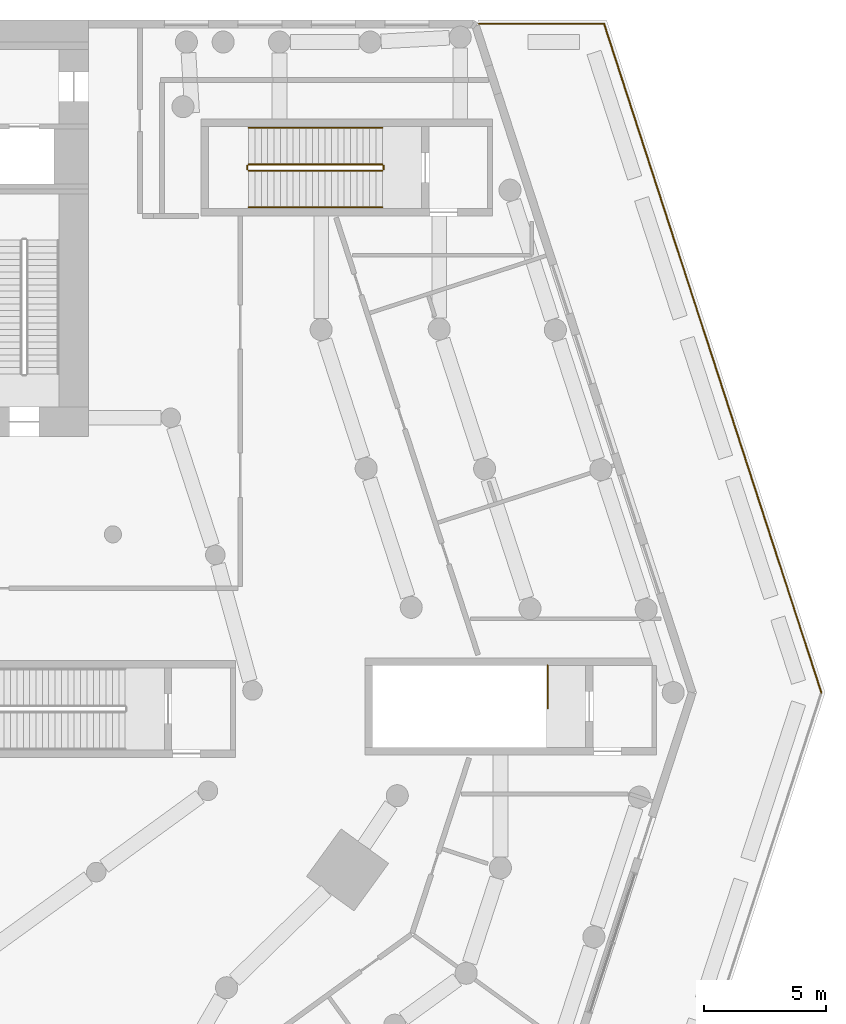
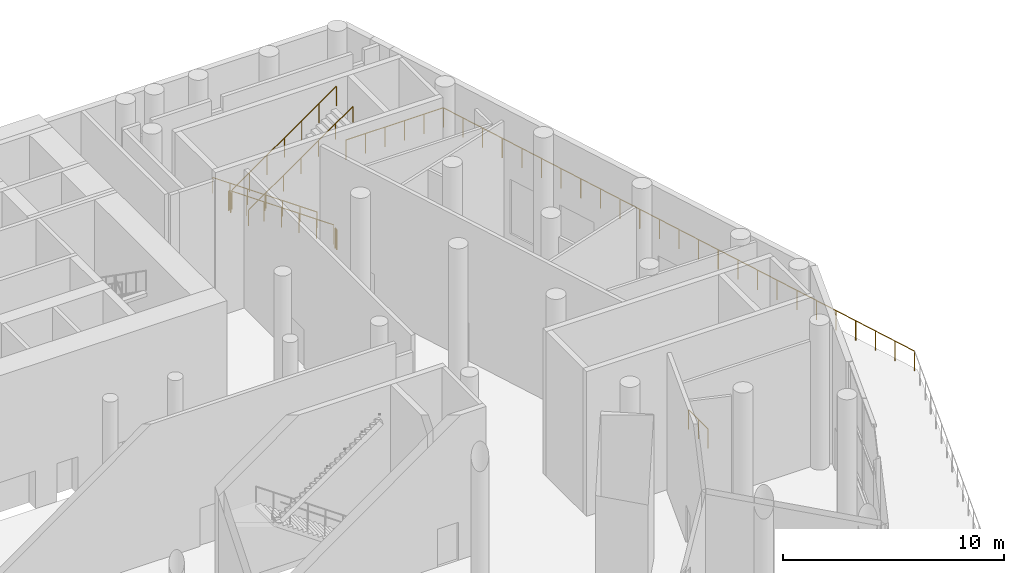
# One storey, part 23 of 23: 8 railings.
"""IFC4 building model written with IfcOpenShell, lengths in metres."""

import ifcopenshell
import ifcopenshell.guid

model = None  # the IFC model being written
_history = None  # IfcOwnerHistory: only IFC2X3 demands one
_inside = {}  # id of a spatial element -> (the spatial element, [elements in it])
_under = {}  # id of a project, library or spatial element -> (it, [spatial elements below it])
_declared = {}  # id of a project -> (the project, [libraries it declares])
_typed = {}  # id of a type object -> (the type object, [elements of that type])
_made_of = {}  # id of a material, layer set ... -> (it, [elements and type objects made of it])


def new_model(schema):
    """Start an empty IFC model of exactly this schema.

    Asked for "IFC4X3", IfcOpenShell would pick the latest addendum, in which some entities
    have other attributes; the version numbers below select the first issue.
    IFC2X3 requires an IfcOwnerHistory on every rooted entity: one is made here for all.
    """
    global model, _history
    if schema == "IFC4X3":
        model = ifcopenshell.file(schema_version=(4, 3, 0, 0))
    else:
        model = ifcopenshell.file(schema=schema)
    _inside.clear()
    _under.clear()
    _declared.clear()
    _typed.clear()
    _made_of.clear()
    _history = None
    if model.schema == "IFC2X3":
        org = make("IfcOrganization", Name="unknown")
        user = make(
            "IfcPersonAndOrganization",
            ThePerson=make("IfcPerson", FamilyName="unknown"),
            TheOrganization=org,
        )
        app = make(
            "IfcApplication",
            ApplicationDeveloper=org,
            Version="unknown",
            ApplicationFullName="unknown",
            ApplicationIdentifier="unknown",
        )
        _history = make(
            "IfcOwnerHistory",
            OwningUser=user,
            OwningApplication=app,
            ChangeAction="ADDED",
            CreationDate=0,
        )
    return model


def make(cls, **values):
    """One entity of the class cls with the attributes given. An attribute that is None is left unset."""
    return model.create_entity(
        cls, **{name: value for name, value in values.items() if value is not None}
    )


def rooted(cls, **values):
    """An entity with a GlobalId (a new one), such as an element, a storey or a relation."""
    return make(cls, GlobalId=ifcopenshell.guid.new(), OwnerHistory=_history, **values)


def si_unit(unit_type, name, prefix=None):
    """IfcSIUnit, for example si_unit("LENGTHUNIT", "METRE", prefix="MILLI")."""
    return make("IfcSIUnit", UnitType=unit_type, Prefix=prefix, Name=name)


def assignment(units):
    """IfcUnitAssignment: the units of a project."""
    return None if units is None else make("IfcUnitAssignment", Units=units)


def point(xyz):
    """IfcCartesianPoint."""
    return None if xyz is None else make("IfcCartesianPoint", Coordinates=xyz)


def direction(xyz):
    """IfcDirection."""
    return None if xyz is None else make("IfcDirection", DirectionRatios=xyz)


def frame(location, z_axis=None, x_axis=None):
    """IfcAxis2Placement3D, a coordinate frame: its origin and axes. An axis left out is left unset."""
    return make(
        "IfcAxis2Placement3D",
        Location=point(location),
        Axis=direction(z_axis),
        RefDirection=direction(x_axis),
    )


def frame_2d(location, x_axis=None):
    """IfcAxis2Placement2D, a coordinate frame in the plane: its origin and x axis."""
    return make(
        "IfcAxis2Placement2D", Location=point(location), RefDirection=direction(x_axis)
    )


def origin():
    """The frame at (0, 0, 0) with its axes left unset."""
    return frame((0.0, 0.0, 0.0))


def origin_2d():
    """The frame at (0, 0) in the plane with its x axis left unset."""
    return frame_2d((0.0, 0.0))


def place(relative_to, where):
    """IfcLocalPlacement: puts the frame where relative to a parent placement (None: the world)."""
    return make(
        "IfcLocalPlacement", PlacementRelTo=relative_to, RelativePlacement=where
    )


def context(
    kind, dimensions, precision=None, world=None, true_north=None, identifier=None
):
    """IfcGeometricRepresentationContext, for example the 3D "Model" context."""
    return make(
        "IfcGeometricRepresentationContext",
        ContextIdentifier=identifier,
        ContextType=kind,
        CoordinateSpaceDimension=dimensions,
        Precision=precision,
        WorldCoordinateSystem=world,
        TrueNorth=true_north,
    )


def subcontext(parent, identifier, kind, view, scale=None):
    """IfcGeometricRepresentationSubContext, for example "Body" below "Model"."""
    return make(
        "IfcGeometricRepresentationSubContext",
        ContextIdentifier=identifier,
        ContextType=kind,
        ParentContext=parent,
        TargetScale=scale,
        TargetView=view,
    )


def project(units=None, contexts=None):
    """IfcProject with its units and contexts."""
    return rooted(
        "IfcProject",
        Name="project",
        RepresentationContexts=contexts,
        UnitsInContext=assignment(units),
    )


def spatial(cls, under=None, at=None, **own):
    """A site, building, storey or space (cls), placed at a placement, below another one or the project."""
    s = rooted(cls, ObjectPlacement=at, **own)
    if under is not None:
        _under.setdefault(under.id(), (under, []))[1].append(s)
    return s


def profile(cls, at=None, kind="AREA", **sizes):
    """A parametric profile (cls). Its sizes go by their IFC names, for example OverallWidth=200.0."""
    return make(cls, ProfileType=kind, Position=at, **sizes)


def circle(**sizes):
    """IfcCircleProfileDef."""
    return profile("IfcCircleProfileDef", **sizes)


def extrude(swept, where, along, depth):
    """IfcExtrudedAreaSolid: the profile swept, set in the frame where, extruded along a direction by depth."""
    return make(
        "IfcExtrudedAreaSolid",
        SweptArea=swept,
        Position=where,
        ExtrudedDirection=direction(along),
        Depth=depth,
    )


def shape(context_of_items, identifier, shape_type, items):
    """IfcShapeRepresentation: the items that make up one representation, for example the "Body"."""
    return make(
        "IfcShapeRepresentation",
        ContextOfItems=context_of_items,
        RepresentationIdentifier=identifier,
        RepresentationType=shape_type,
        Items=items,
    )


def material(Name=None, Category=None):
    """IfcMaterial."""
    return make("IfcMaterial", Name=Name, Category=Category)


def made_of(thing, what):
    """Note that an element or type object is made of a material, layer set ...; save() writes the relation."""
    if what is not None:
        _made_of.setdefault(what.id(), (what, []))[1].append(thing)
    return thing


def type_object(cls, material=None, **own):
    """A type object (cls), such as IfcWallType, which elements share."""
    return made_of(rooted(cls, **own), material)


def element(
    cls,
    number,
    at=None,
    inside=None,
    cuts=None,
    type_object=None,
    material=None,
    context=None,
    identifier="Body",
    shape_type=None,
    held_by="IfcProductDefinitionShape",
    body=None,
    shapes=None,
    **own,
):
    """One element of the class cls, such as IfcWall. Its Tag is "e" and its number.

    at: its placement. inside: the storey or other place that contains it. cuts: it is an
    opening in that element (IfcRelVoidsElement). A single representation is given by context,
    identifier, shape_type and body (its items); several are given by shapes. held_by: the class
    of the entity that holds the representations. save() writes the other relations.
    """
    e = rooted(cls, Tag="e%d" % number, ObjectPlacement=at, **own)
    if body is not None:
        shapes = [shape(context, identifier, shape_type, body)]
    if shapes is not None:
        e.Representation = make(held_by, Representations=shapes)
    if inside is not None:
        _inside.setdefault(inside.id(), (inside, []))[1].append(e)
    if cuts is not None:
        rooted(
            "IfcRelVoidsElement", RelatingBuildingElement=cuts, RelatedOpeningElement=e
        )
    if type_object is not None:
        _typed.setdefault(type_object.id(), (type_object, []))[1].append(e)
    return made_of(e, material)


def aggregate(whole, parts):
    """IfcRelAggregates: a whole, such as a stair, and the parts it consists of."""
    return rooted("IfcRelAggregates", RelatingObject=whole, RelatedObjects=parts)


def save(model, path):
    """Write the relations noted so far, then the file.

    IfcRelAggregates (storeys below a building ...), IfcRelContainedInSpatialStructure (elements
    in a storey), IfcRelDefinesByType, IfcRelAssociatesMaterial and IfcRelDeclares: one each for
    every whole, place, type object, material and project.
    """
    for whole, parts in _under.values():
        aggregate(whole, parts)
    for where, things in _inside.values():
        rooted(
            "IfcRelContainedInSpatialStructure",
            RelatedElements=things,
            RelatingStructure=where,
        )
    for kind, things in _typed.values():
        rooted("IfcRelDefinesByType", RelatedObjects=things, RelatingType=kind)
    for what, things in _made_of.values():
        rooted("IfcRelAssociatesMaterial", RelatedObjects=things, RelatingMaterial=what)
    for by, libraries in _declared.values():
        rooted("IfcRelDeclares", RelatingContext=by, RelatedDefinitions=libraries)
    model.write(path)


model = new_model("IFC4")

# Units and contexts
model_context = context("Model", 3, precision=1e-05, world=origin(), true_north=direction((0.0, 1.0)))
body_context = subcontext(model_context, "Body", "Model", "MODEL_VIEW")
ifc_project = project(units=[si_unit("LENGTHUNIT", "METRE"), si_unit("AREAUNIT", "SQUARE_METRE"), si_unit("VOLUMEUNIT", "CUBIC_METRE"), si_unit("PLANEANGLEUNIT", "RADIAN"), si_unit("MASSUNIT", "GRAM", prefix="KILO")], contexts=[model_context])

# Site, building, storey
site_placement = place(None, origin())
site = spatial("IfcSite", under=ifc_project, at=site_placement, CompositionType="ELEMENT")
building_placement = place(site_placement, origin())
building = spatial("IfcBuilding", under=site, at=building_placement, Name="White Candle Pilgrim Tower", CompositionType="ELEMENT")
storey_placement = place(building_placement, frame((0.0, 0.0, 15.0)))
storey = spatial("IfcBuildingStorey", under=building, at=storey_placement, Name="L02", CompositionType="ELEMENT", Elevation=15.0)

# Railings
ifc_material_1 = material(Name="Steel S355 painted", Category="steel")
railing_type_1 = type_object("IfcRailingType", Name="Guard GD1 1100", PredefinedType="GUARDRAIL", material=ifc_material_1)
railing_1_placement = place(storey_placement, frame((96.948974609375, 87.85009765625, 0.0)))
element("IfcRailing", 1, at=railing_1_placement, inside=storey, type_object=railing_type_1, Name="Terrace guard L02", PredefinedType="GUARDRAIL", context=body_context, shape_type="SweptSolid", body=[
    extrude(circle(Radius=0.02490234375, at=origin_2d()), frame((0.0, 0.0, 1.0751953125), z_axis=(1.0, 0.0, 0.0), x_axis=(0.0, 1.0, 0.0)), (0.0, 0.0, 1.0), 5.099609375),
    extrude(circle(Radius=0.02490234375, at=origin_2d()), frame((5.099609375, 0.0, 1.0751953125), z_axis=(0.309015903789, -0.951056870647, 0.0), x_axis=(0.951056870647, 0.309015903789, 0.0)), (0.0, 0.0, 1.0), 28.71630859375),
    extrude(circle(Radius=0.02490234375, at=origin_2d()), origin(), (0.0, 0.0, 1.0), 1.050048828125),
    extrude(circle(Radius=0.02490234375, at=origin_2d()), frame((1.02001953125, 0.0, 0.0)), (0.0, 0.0, 1.0), 1.050048828125),
    extrude(circle(Radius=0.02490234375, at=origin_2d()), frame((2.039794921875, 0.0, 0.0)), (0.0, 0.0, 1.0), 1.050048828125),
    extrude(circle(Radius=0.02490234375, at=origin_2d()), frame((3.059814453125, 0.0, 0.0)), (0.0, 0.0, 1.0), 1.050048828125),
    extrude(circle(Radius=0.02490234375, at=origin_2d()), frame((4.07958984375, 0.0, 0.0)), (0.0, 0.0, 1.0), 1.050048828125),
    extrude(circle(Radius=0.02490234375, at=origin_2d()), frame((5.099609375, 0.0, 0.0)), (0.0, 0.0, 1.0), 1.050048828125),
    extrude(circle(Radius=0.02490234375, at=origin_2d()), frame((5.46923828125, -1.137939453125, 0.0)), (0.0, 0.0, 1.0), 1.050048828125),
    extrude(circle(Radius=0.02490234375, at=origin_2d()), frame((5.839111328125, -2.27587890625, 0.0)), (0.0, 0.0, 1.0), 1.050048828125),
    extrude(circle(Radius=0.02490234375, at=origin_2d()), frame((6.208740234375, -3.413818359375, 0.0)), (0.0, 0.0, 1.0), 1.050048828125),
    extrude(circle(Radius=0.02490234375, at=origin_2d()), frame((6.57861328125, -4.5517578125, 0.0)), (0.0, 0.0, 1.0), 1.050048828125),
    extrude(circle(Radius=0.02490234375, at=origin_2d()), frame((6.9482421875, -5.689697265625, 0.0)), (0.0, 0.0, 1.0), 1.050048828125),
    extrude(circle(Radius=0.02490234375, at=origin_2d()), frame((7.318115234375, -6.82763671875, 0.0)), (0.0, 0.0, 1.0), 1.050048828125),
    extrude(circle(Radius=0.02490234375, at=origin_2d()), frame((7.687744140625, -7.965576171875, 0.0)), (0.0, 0.0, 1.0), 1.050048828125),
    extrude(circle(Radius=0.02490234375, at=origin_2d()), frame((8.0576171875, -9.103515625, 0.0)), (0.0, 0.0, 1.0), 1.050048828125),
    extrude(circle(Radius=0.02490234375, at=origin_2d()), frame((8.42724609375, -10.241455078125, 0.0)), (0.0, 0.0, 1.0), 1.050048828125),
    extrude(circle(Radius=0.02490234375, at=origin_2d()), frame((8.797119140625, -11.37939453125, 0.0)), (0.0, 0.0, 1.0), 1.050048828125),
    extrude(circle(Radius=0.02490234375, at=origin_2d()), frame((9.166748046875, -12.517333984375, 0.0)), (0.0, 0.0, 1.0), 1.050048828125),
    extrude(circle(Radius=0.02490234375, at=origin_2d()), frame((9.53662109375, -13.6552734375, 0.0)), (0.0, 0.0, 1.0), 1.050048828125),
    extrude(circle(Radius=0.02490234375, at=origin_2d()), frame((9.90625, -14.79345703125, 0.0)), (0.0, 0.0, 1.0), 1.050048828125),
    extrude(circle(Radius=0.02490234375, at=origin_2d()), frame((10.27587890625, -15.931396484375, 0.0)), (0.0, 0.0, 1.0), 1.050048828125),
    extrude(circle(Radius=0.02490234375, at=origin_2d()), frame((10.645751953125, -17.0693359375, 0.0)), (0.0, 0.0, 1.0), 1.050048828125),
    extrude(circle(Radius=0.02490234375, at=origin_2d()), frame((11.015380859375, -18.207275390625, 0.0)), (0.0, 0.0, 1.0), 1.050048828125),
    extrude(circle(Radius=0.02490234375, at=origin_2d()), frame((11.38525390625, -19.34521484375, 0.0)), (0.0, 0.0, 1.0), 1.050048828125),
    extrude(circle(Radius=0.02490234375, at=origin_2d()), frame((11.7548828125, -20.483154296875, 0.0)), (0.0, 0.0, 1.0), 1.050048828125),
    extrude(circle(Radius=0.02490234375, at=origin_2d()), frame((12.124755859375, -21.62109375, 0.0)), (0.0, 0.0, 1.0), 1.050048828125),
    extrude(circle(Radius=0.02490234375, at=origin_2d()), frame((12.494384765625, -22.759033203125, 0.0)), (0.0, 0.0, 1.0), 1.050048828125),
    extrude(circle(Radius=0.02490234375, at=origin_2d()), frame((12.8642578125, -23.89697265625, 0.0)), (0.0, 0.0, 1.0), 1.050048828125),
    extrude(circle(Radius=0.02490234375, at=origin_2d()), frame((13.23388671875, -25.034912109375, 0.0)), (0.0, 0.0, 1.0), 1.050048828125),
    extrude(circle(Radius=0.02490234375, at=origin_2d()), frame((13.603759765625, -26.1728515625, 0.0)), (0.0, 0.0, 1.0), 1.050048828125),
    extrude(circle(Radius=0.02490234375, at=origin_2d()), frame((13.973388671875, -27.310791015625, 0.0)), (0.0, 0.0, 1.0), 1.050048828125),
])
ifc_material_2 = material(Name="Stainless steel", Category="steel")
railing_type_2 = type_object("IfcRailingType", Name="Stair guard stainless steel 1100 mm", PredefinedType="GUARDRAIL", material=ifc_material_2)
railing_2_placement = place(storey_placement, frame((99.75, 61.64990234375, 0.0)))
element("IfcRailing", 2, at=railing_2_placement, inside=storey, type_object=railing_type_2, Name="L02 ST9 top well guard 1", PredefinedType="GUARDRAIL", context=body_context, shape_type="SweptSolid", body=[
    extrude(circle(Radius=0.02392578125, at=origin_2d()), frame((0.0, 0.0, 1.076171875), z_axis=(0.0, -1.0, 0.0), x_axis=(1.0, 0.0, 0.0)), (0.0, 0.0, 1.0), 1.75),
    extrude(circle(Radius=0.02099609375, at=origin_2d()), origin(), (0.0, 0.0, 1.0), 1.052001953125),
    extrude(circle(Radius=0.02099609375, at=origin_2d()), frame((0.0, -0.875, 0.0)), (0.0, 0.0, 1.0), 1.052001953125),
    extrude(circle(Radius=0.02099609375, at=origin_2d()), frame((0.0, -1.75, 0.0)), (0.0, 0.0, 1.0), 1.052001953125),
])
railing_3_placement = place(storey_placement, frame((93.0, 82.10009765625, 0.181884765625)))
element("IfcRailing", 3, at=railing_3_placement, inside=storey, type_object=railing_type_2, Name="L02 ST11 stair guard 1", PredefinedType="GUARDRAIL", context=body_context, shape_type="SweptSolid", body=[
    extrude(circle(Radius=0.02392578125, at=origin_2d()), frame((0.0, 0.0, 1.076171875), z_axis=(-0.81950382928, 0.0, 0.573073707123), x_axis=(0.0, -1.0, 0.0)), (0.0, 0.0, 1.0), 6.66259765625),
    extrude(circle(Radius=0.02099609375, at=origin_2d()), origin(), (0.0, 0.0, 1.0), 1.052001953125),
    extrude(circle(Radius=0.02099609375, at=origin_2d()), frame((-0.909912109375, 0.0, 0.63623046875)), (0.0, 0.0, 1.0), 1.052001953125),
    extrude(circle(Radius=0.02099609375, at=origin_2d()), frame((-1.820068359375, 0.0, 1.272705078125)), (0.0, 0.0, 1.0), 1.052001953125),
    extrude(circle(Radius=0.02099609375, at=origin_2d()), frame((-2.72998046875, 0.0, 1.9091796875)), (0.0, 0.0, 1.0), 1.052001953125),
    extrude(circle(Radius=0.02099609375, at=origin_2d()), frame((-3.639892578125, 0.0, 2.54541015625)), (0.0, 0.0, 1.0), 1.052001953125),
    extrude(circle(Radius=0.02099609375, at=origin_2d()), frame((-4.550048828125, 0.0, 3.181640625)), (0.0, 0.0, 1.0), 1.052001953125),
    extrude(circle(Radius=0.02099609375, at=origin_2d()), frame((-5.4599609375, 0.0, 3.818115234375)), (0.0, 0.0, 1.0), 1.052001953125),
])
railing_4_placement = place(storey_placement, frame((87.489990234375, 82.050048828125, 4.0)))
element("IfcRailing", 4, at=railing_4_placement, inside=storey, type_object=railing_type_2, Name="L02 ST11 stair guard 2", PredefinedType="GUARDRAIL", context=body_context, shape_type="SweptSolid", body=[
    extrude(circle(Radius=0.02392578125, at=origin_2d()), frame((0.0, 0.0, 1.076171875), z_axis=(0.0, -1.0, 0.0), x_axis=(1.0, 0.0, 0.0)), (0.0, 0.0, 1.0), 0.150146484375),
    extrude(circle(Radius=0.02099609375, at=origin_2d()), origin(), (0.0, 0.0, 1.0), 1.052001953125),
    extrude(circle(Radius=0.02099609375, at=origin_2d()), frame((0.0, -0.150146484375, 0.0)), (0.0, 0.0, 1.0), 1.052001953125),
])
railing_5_placement = place(storey_placement, frame((87.5400390625, 81.85009765625, 4.181884765625)))
element("IfcRailing", 5, at=railing_5_placement, inside=storey, type_object=railing_type_2, Name="L02 ST11 stair guard 3", PredefinedType="GUARDRAIL", context=body_context, shape_type="SweptSolid", body=[
    extrude(circle(Radius=0.02392578125, at=origin_2d()), frame((0.0, 0.0, 1.076171875), z_axis=(0.81950382928, 0.0, 0.573073707123), x_axis=(0.0, 1.0, 0.0)), (0.0, 0.0, 1.0), 6.66259765625),
    extrude(circle(Radius=0.02099609375, at=origin_2d()), origin(), (0.0, 0.0, 1.0), 1.052001953125),
    extrude(circle(Radius=0.02099609375, at=origin_2d()), frame((0.909912109375, 0.0, 0.63623046875)), (0.0, 0.0, 1.0), 1.052001953125),
    extrude(circle(Radius=0.02099609375, at=origin_2d()), frame((1.820068359375, 0.0, 1.272705078125)), (0.0, 0.0, 1.0), 1.052001953125),
    extrude(circle(Radius=0.02099609375, at=origin_2d()), frame((2.72998046875, 0.0, 1.9091796875)), (0.0, 0.0, 1.0), 1.052001953125),
    extrude(circle(Radius=0.02099609375, at=origin_2d()), frame((3.639892578125, 0.0, 2.54541015625)), (0.0, 0.0, 1.0), 1.052001953125),
    extrude(circle(Radius=0.02099609375, at=origin_2d()), frame((4.550048828125, 0.0, 3.181640625)), (0.0, 0.0, 1.0), 1.052001953125),
    extrude(circle(Radius=0.02099609375, at=origin_2d()), frame((5.4599609375, 0.0, 3.818115234375)), (0.0, 0.0, 1.0), 1.052001953125),
])
railing_6_placement = place(storey_placement, frame((93.050048828125, 82.050048828125, 0.0)))
element("IfcRailing", 6, at=railing_6_placement, inside=storey, type_object=railing_type_2, Name="L02 ST11 stair guard 4", PredefinedType="GUARDRAIL", context=body_context, shape_type="SweptSolid", body=[
    extrude(circle(Radius=0.02392578125, at=origin_2d()), frame((0.0, 0.0, 1.076171875), z_axis=(0.0, -1.0, 0.0), x_axis=(1.0, 0.0, 0.0)), (0.0, 0.0, 1.0), 0.150146484375),
    extrude(circle(Radius=0.02099609375, at=origin_2d()), origin(), (0.0, 0.0, 1.0), 1.052001953125),
    extrude(circle(Radius=0.02099609375, at=origin_2d()), frame((0.0, -0.150146484375, 0.0)), (0.0, 0.0, 1.0), 1.052001953125),
])
railing_type_3 = type_object("IfcRailingType", Name="Stair handrail stainless steel", PredefinedType="HANDRAIL", material=ifc_material_2)
railing_7_placement = place(storey_placement, frame((93.0, 83.60009765625, 0.181884765625)))
element("IfcRailing", 7, at=railing_7_placement, inside=storey, type_object=railing_type_3, Name="L02 ST11 stair handrail 1", PredefinedType="HANDRAIL", context=body_context, shape_type="SweptSolid", body=[
    extrude(circle(Radius=0.02392578125, at=origin_2d()), frame((0.0, 0.0, 0.8759765625), z_axis=(-0.81950382928, 0.0, 0.573073707123), x_axis=(0.0, -1.0, 0.0)), (0.0, 0.0, 1.0), 6.66259765625),
    extrude(circle(Radius=0.02099609375, at=origin_2d()), origin(), (0.0, 0.0, 1.0), 0.851806640625),
    extrude(circle(Radius=0.02099609375, at=origin_2d()), frame((-0.909912109375, 0.0, 0.63623046875)), (0.0, 0.0, 1.0), 0.851806640625),
    extrude(circle(Radius=0.02099609375, at=origin_2d()), frame((-1.820068359375, 0.0, 1.272705078125)), (0.0, 0.0, 1.0), 0.851806640625),
    extrude(circle(Radius=0.02099609375, at=origin_2d()), frame((-2.72998046875, 0.0, 1.9091796875)), (0.0, 0.0, 1.0), 0.851806640625),
    extrude(circle(Radius=0.02099609375, at=origin_2d()), frame((-3.639892578125, 0.0, 2.54541015625)), (0.0, 0.0, 1.0), 0.851806640625),
    extrude(circle(Radius=0.02099609375, at=origin_2d()), frame((-4.550048828125, 0.0, 3.181640625)), (0.0, 0.0, 1.0), 0.851806640625),
    extrude(circle(Radius=0.02099609375, at=origin_2d()), frame((-5.4599609375, 0.0, 3.818115234375)), (0.0, 0.0, 1.0), 0.851806640625),
])
railing_8_placement = place(storey_placement, frame((87.5400390625, 80.35009765625, 4.181884765625)))
element("IfcRailing", 8, at=railing_8_placement, inside=storey, type_object=railing_type_3, Name="L02 ST11 stair handrail 2", PredefinedType="HANDRAIL", context=body_context, shape_type="SweptSolid", body=[
    extrude(circle(Radius=0.02392578125, at=origin_2d()), frame((0.0, 0.0, 0.8759765625), z_axis=(0.81950382928, 0.0, 0.573073707123), x_axis=(0.0, 1.0, 0.0)), (0.0, 0.0, 1.0), 6.66259765625),
    extrude(circle(Radius=0.02099609375, at=origin_2d()), origin(), (0.0, 0.0, 1.0), 0.851806640625),
    extrude(circle(Radius=0.02099609375, at=origin_2d()), frame((0.909912109375, 0.0, 0.63623046875)), (0.0, 0.0, 1.0), 0.851806640625),
    extrude(circle(Radius=0.02099609375, at=origin_2d()), frame((1.820068359375, 0.0, 1.272705078125)), (0.0, 0.0, 1.0), 0.851806640625),
    extrude(circle(Radius=0.02099609375, at=origin_2d()), frame((2.72998046875, 0.0, 1.9091796875)), (0.0, 0.0, 1.0), 0.851806640625),
    extrude(circle(Radius=0.02099609375, at=origin_2d()), frame((3.639892578125, 0.0, 2.54541015625)), (0.0, 0.0, 1.0), 0.851806640625),
    extrude(circle(Radius=0.02099609375, at=origin_2d()), frame((4.550048828125, 0.0, 3.181640625)), (0.0, 0.0, 1.0), 0.851806640625),
    extrude(circle(Radius=0.02099609375, at=origin_2d()), frame((5.4599609375, 0.0, 3.818115234375)), (0.0, 0.0, 1.0), 0.851806640625),
])

save(model, "model.ifc")
